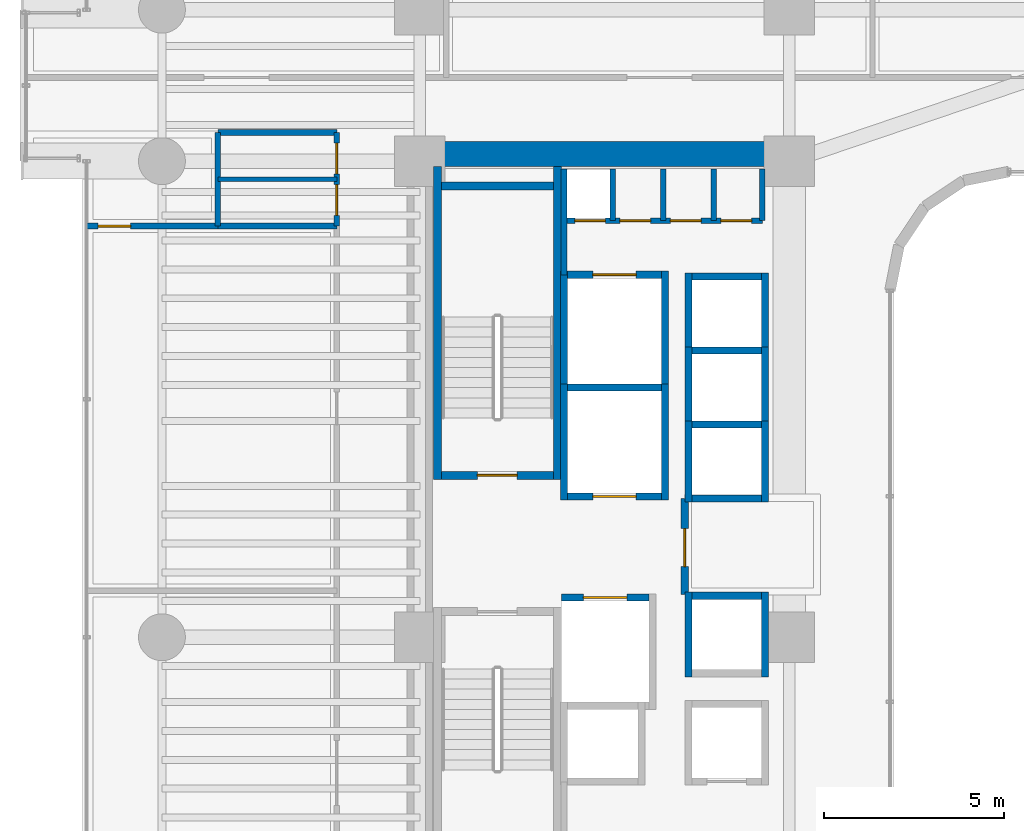
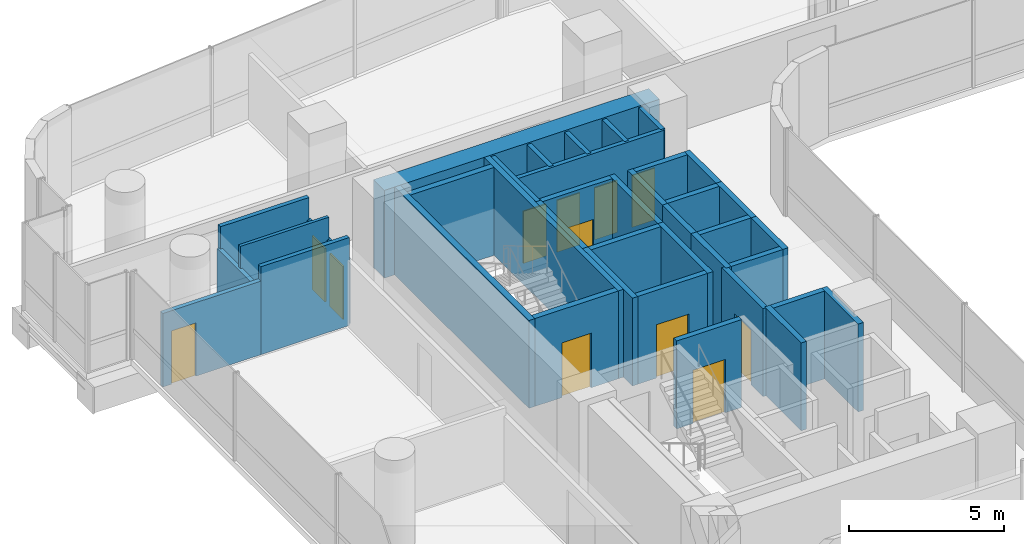
# One storey, part 32 of 40: 39 walls, 12 doors, 12 openings.
"""IFC4 building model written with IfcOpenShell, lengths in metres."""

from ifc_helpers import new_model, si_unit, direction, frame, frame_2d, origin, place, context, subcontext, project, spatial, rectangle, extrude, material, layer, layer_set, type_object, element, fill, save


model = new_model("IFC4")

# Units and contexts
model_context = context("Model", 3, precision=1e-05, world=origin(), true_north=direction((0.0, 1.0)))
body_context = subcontext(model_context, "Body", "Model", "MODEL_VIEW")
ifc_project = project(units=[si_unit("LENGTHUNIT", "METRE"), si_unit("AREAUNIT", "SQUARE_METRE"), si_unit("VOLUMEUNIT", "CUBIC_METRE"), si_unit("PLANEANGLEUNIT", "RADIAN"), si_unit("MASSUNIT", "GRAM", prefix="KILO")], contexts=[model_context])

# Site, building, storey
site_placement = place(None, origin())
site = spatial("IfcSite", under=ifc_project, at=site_placement, CompositionType="ELEMENT")
building_placement = place(site_placement, origin())
building = spatial("IfcBuilding", under=site, at=building_placement, Name="Valdorenza Pilgrim Sanctuary Tower", CompositionType="ELEMENT")
storey_placement = place(building_placement, frame((0.0, 0.0, 48.199951171875)))
storey = spatial("IfcBuildingStorey", under=building, at=storey_placement, Name="L11", CompositionType="ELEMENT", Elevation=48.199951171875)

# Wall
ifc_material_1 = material(Name="Acoustic twin-stud gypsum partition", Category="gypsum")
ifc_layer_1 = layer(ifc_material_1, 0.159912109375, Name="Acoustic twin-stud gypsum partition")
ifc_layer_set_1 = layer_set([ifc_layer_1], Name="Acoustic twin-stud gypsum partition")
wall_type_1 = type_object("IfcWallType", Name="WAL-COR-160", PredefinedType="PARTITIONING", material=ifc_layer_set_1)
wall_1_placement = place(storey_placement, frame((-18.64990234375, 7.449951171875, 0.0), z_axis=(0.0, 0.0, 1.0), x_axis=(0.0, 1.0, 0.0)))
element("IfcWall", 1, at=wall_1_placement, inside=storey, type_object=wall_type_1, Name="L11 Core A North Service West Wall", PredefinedType="PARTITIONING", context=body_context, shape_type="SweptSolid", body=[
    extrude(rectangle(XDim=2.929931640625, YDim=0.159912109375, at=frame_2d((1.46484375, 0.0))), origin(), (0.0, 0.0, 1.0), 3.4599609375),
])

# Wall, openings, doors
wall_2_placement = place(storey_placement, frame((-18.64990234375, 8.949951171875, 0.0), z_axis=(0.0, 0.0, 1.0), x_axis=(1.0, 0.0, 0.0)))
wall_2 = element("IfcWall", 2, at=wall_2_placement, inside=storey, type_object=wall_type_1, Name="L11 Core A North Service South Wall", PredefinedType="PARTITIONING", context=body_context, shape_type="SweptSolid", body=[
    extrude(rectangle(XDim=5.5, YDim=0.159912109375, at=frame_2d((2.75, 0.0))), origin(), (0.0, 0.0, 1.0), 3.4599609375),
])
opening_1_placement = place(wall_2_placement, frame((0.300048828125, 0.0, 0.0)))
opening_1 = element("IfcOpeningElement", 3, at=opening_1_placement, cuts=wall_2, Name="Opening DR-RS1", PredefinedType="OPENING", context=body_context, shape_type="SweptSolid", body=[
    extrude(rectangle(XDim=0.85009765625, YDim=2.050048828125, at=frame_2d((0.425048828125, 1.02490234375))), frame((0.0, 0.0947265625, 0.0), z_axis=(0.0, -1.0, 0.0), x_axis=(1.0, 0.0, 0.0)), (0.0, 0.0, 1.0), 0.189697265625),
])
opening_2_placement = place(wall_2_placement, frame((1.550048828125, 0.0, 0.0)))
opening_2 = element("IfcOpeningElement", 4, at=opening_2_placement, cuts=wall_2, Name="Opening DR-RS1", PredefinedType="OPENING", context=body_context, shape_type="SweptSolid", body=[
    extrude(rectangle(XDim=0.85009765625, YDim=2.050048828125, at=frame_2d((0.425048828125, 1.02490234375))), frame((0.0, 0.0947265625, 0.0), z_axis=(0.0, -1.0, 0.0), x_axis=(1.0, 0.0, 0.0)), (0.0, 0.0, 1.0), 0.189697265625),
])
opening_3_placement = place(wall_2_placement, frame((2.949951171875, 0.0, 0.0)))
opening_3 = element("IfcOpeningElement", 5, at=opening_3_placement, cuts=wall_2, Name="Opening DR-RS1", PredefinedType="OPENING", context=body_context, shape_type="SweptSolid", body=[
    extrude(rectangle(XDim=0.85009765625, YDim=2.050048828125, at=frame_2d((0.425048828125, 1.02490234375))), frame((0.0, 0.0947265625, 0.0), z_axis=(0.0, -1.0, 0.0), x_axis=(1.0, 0.0, 0.0)), (0.0, 0.0, 1.0), 0.189697265625),
])
opening_4_placement = place(wall_2_placement, frame((4.35009765625, 0.0, 0.0)))
opening_4 = element("IfcOpeningElement", 6, at=opening_4_placement, cuts=wall_2, Name="Opening DR-RS1", PredefinedType="OPENING", context=body_context, shape_type="SweptSolid", body=[
    extrude(rectangle(XDim=0.85009765625, YDim=2.050048828125, at=frame_2d((0.425048828125, 1.02490234375))), frame((0.0, 0.0947265625, 0.0), z_axis=(0.0, -1.0, 0.0), x_axis=(1.0, 0.0, 0.0)), (0.0, 0.0, 1.0), 0.189697265625),
])
ifc_material_2 = material(Name="Painted galvanized steel", Category="steel")
door_type_1 = type_object("IfcDoorType", Name="DR-RSR-850", OperationType="NOTDEFINED", PredefinedType="DOOR", material=ifc_material_2)
door_1_placement = place(opening_1_placement, origin())
door_1 = element("IfcDoor", 7, at=door_1_placement, inside=storey, type_object=door_type_1, Name="L11 Core Electrical and Telecom Riser Door", OperationType="SINGLE_SWING_LEFT", OverallHeight=2.050048828125, OverallWidth=0.85009765625, PredefinedType="DOOR", context=body_context, shape_type="SweptSolid", body=[
    extrude(rectangle(XDim=0.85009765625, YDim=2.050048828125, at=frame_2d((0.425048828125, 1.02490234375))), frame((0.0, 0.02490234375, 0.0), z_axis=(0.0, -1.0, 0.0), x_axis=(1.0, 0.0, 0.0)), (0.0, 0.0, 1.0), 0.050048828125),
])
fill(opening_1, door_1)
door_2_placement = place(opening_2_placement, origin())
door_2 = element("IfcDoor", 8, at=door_2_placement, inside=storey, type_object=door_type_1, Name="L11 Housekeeping and Clean Linen Room Door", OperationType="SINGLE_SWING_RIGHT", OverallHeight=2.050048828125, OverallWidth=0.85009765625, PredefinedType="DOOR", context=body_context, shape_type="SweptSolid", body=[
    extrude(rectangle(XDim=0.85009765625, YDim=2.050048828125, at=frame_2d((0.425048828125, 1.02490234375))), frame((0.0, 0.02490234375, 0.0), z_axis=(0.0, -1.0, 0.0), x_axis=(1.0, 0.0, 0.0)), (0.0, 0.0, 1.0), 0.050048828125),
])
fill(opening_2, door_2)
door_3_placement = place(opening_3_placement, origin())
door_3 = element("IfcDoor", 9, at=door_3_placement, inside=storey, type_object=door_type_1, Name="L11 Core IT Server Closet Door", OperationType="SINGLE_SWING_LEFT", OverallHeight=2.050048828125, OverallWidth=0.85009765625, PredefinedType="DOOR", context=body_context, shape_type="SweptSolid", body=[
    extrude(rectangle(XDim=0.85009765625, YDim=2.050048828125, at=frame_2d((0.425048828125, 1.02490234375))), frame((0.0, 0.02490234375, 0.0), z_axis=(0.0, -1.0, 0.0), x_axis=(1.0, 0.0, 0.0)), (0.0, 0.0, 1.0), 0.050048828125),
])
fill(opening_3, door_3)
door_4_placement = place(opening_4_placement, origin())
door_4 = element("IfcDoor", 10, at=door_4_placement, inside=storey, type_object=door_type_1, Name="L11 Core Staff Washroom Door", OperationType="SINGLE_SWING_RIGHT", OverallHeight=2.050048828125, OverallWidth=0.85009765625, PredefinedType="DOOR", context=body_context, shape_type="SweptSolid", body=[
    extrude(rectangle(XDim=0.85009765625, YDim=2.050048828125, at=frame_2d((0.425048828125, 1.02490234375))), frame((0.0, 0.02490234375, 0.0), z_axis=(0.0, -1.0, 0.0), x_axis=(1.0, 0.0, 0.0)), (0.0, 0.0, 1.0), 0.050048828125),
])
fill(opening_4, door_4)

# Walls
for number, where, z_axis, x_axis, name in (
    (11, (-13.14990234375, 8.949951171875, 0.0), (0.0, 0.0, 1.0), (0.0, 1.0, 0.0), "L11 Core A North Service East Wall"),
    (12, (-17.300048828125, 8.949951171875, 0.0), (0.0, 0.0, 1.0), (0.0, 1.0, 0.0), "L11 Core Electrical Riser Wall"),
    (13, (-15.89990234375, 8.949951171875, 0.0), (0.0, 0.0, 1.0), (0.0, 1.0, 0.0), "L11 Core A Split D1"),
    (14, (-14.5, 8.949951171875, 0.0), (0.0, 0.0, 1.0), (0.0, 1.0, 0.0), "L11 Core A Split D2"),
):
    element("IfcWall", number, at=place(storey_placement, frame(where, z_axis=z_axis, x_axis=x_axis)), inside=storey, type_object=wall_type_1, Name=name, PredefinedType="PARTITIONING", context=body_context, shape_type="SweptSolid", body=[
        extrude(rectangle(XDim=1.429931640625, YDim=0.159912109375, at=frame_2d((0.71484375, 0.0))), origin(), (0.0, 0.0, 1.0), 3.4599609375),
    ])
wall_3_placement = place(storey_placement, frame((-28.25, 8.800048828125, 0.0), z_axis=(0.0, 0.0, 1.0), x_axis=(0.0, 1.0, 0.0)))
element("IfcWall", 15, at=wall_3_placement, inside=storey, type_object=wall_type_1, Name="L11 Washroom West Wall", PredefinedType="PARTITIONING", context=body_context, shape_type="SweptSolid", body=[
    extrude(rectangle(XDim=2.599853515625, YDim=0.159912109375, at=frame_2d((1.2998046875, 0.0))), origin(), (0.0, 0.0, 1.0), 2.5830078125),
])

# Wall, openings, doors
wall_4_placement = place(storey_placement, frame((-24.949951171875, 8.800048828125, 0.0), z_axis=(0.0, 0.0, 1.0), x_axis=(0.0, 1.0, 0.0)))
wall_4 = element("IfcWall", 16, at=wall_4_placement, inside=storey, type_object=wall_type_1, Name="L11 Washroom East Wall", PredefinedType="PARTITIONING", context=body_context, shape_type="SweptSolid", body=[
    extrude(rectangle(XDim=2.599853515625, YDim=0.159912109375, at=frame_2d((1.2998046875, 0.0))), origin(), (0.0, 0.0, 1.0), 2.5830078125),
])
opening_5_placement = place(wall_4_placement, frame((0.300048828125, 0.0, 0.0)))
opening_5 = element("IfcOpeningElement", 17, at=opening_5_placement, cuts=wall_4, Name="Opening DR-WC1", PredefinedType="OPENING", context=body_context, shape_type="SweptSolid", body=[
    extrude(rectangle(XDim=0.85009765625, YDim=2.10009765625, at=frame_2d((0.425048828125, 1.050048828125))), frame((0.0, 0.0947265625, 0.0), z_axis=(0.0, -1.0, 0.0), x_axis=(1.0, 0.0, 0.0)), (0.0, 0.0, 1.0), 0.189697265625),
])
opening_6_placement = place(wall_4_placement, frame((1.449951171875, 0.0, 0.0)))
opening_6 = element("IfcOpeningElement", 18, at=opening_6_placement, cuts=wall_4, Name="Opening DR-WC1", PredefinedType="OPENING", context=body_context, shape_type="SweptSolid", body=[
    extrude(rectangle(XDim=0.85009765625, YDim=2.10009765625, at=frame_2d((0.425048828125, 1.050048828125))), frame((0.0, 0.0947265625, 0.0), z_axis=(0.0, -1.0, 0.0), x_axis=(1.0, 0.0, 0.0)), (0.0, 0.0, 1.0), 0.189697265625),
])
ifc_material_3 = material(Name="Moisture-resistant lacquered timber", Category="wood")
door_type_2 = type_object("IfcDoorType", Name="DR-BATH-850", OperationType="NOTDEFINED", PredefinedType="DOOR", material=ifc_material_3)
door_5_placement = place(opening_5_placement, origin())
door_5 = element("IfcDoor", 19, at=door_5_placement, inside=storey, type_object=door_type_2, Name="L11 Accessible Washroom Door", OperationType="SINGLE_SWING_LEFT", OverallHeight=2.10009765625, OverallWidth=0.85009765625, PredefinedType="DOOR", context=body_context, shape_type="SweptSolid", body=[
    extrude(rectangle(XDim=0.85009765625, YDim=2.10009765625, at=frame_2d((0.425048828125, 1.050048828125))), frame((0.0, 0.02490234375, 0.0), z_axis=(0.0, -1.0, 0.0), x_axis=(1.0, 0.0, 0.0)), (0.0, 0.0, 1.0), 0.050048828125),
])
fill(opening_5, door_5)
door_6_placement = place(opening_6_placement, origin())
door_6 = element("IfcDoor", 20, at=door_6_placement, inside=storey, type_object=door_type_2, Name="L11 Public Washroom Door", OperationType="SINGLE_SWING_RIGHT", OverallHeight=2.10009765625, OverallWidth=0.85009765625, PredefinedType="DOOR", context=body_context, shape_type="SweptSolid", body=[
    extrude(rectangle(XDim=0.85009765625, YDim=2.10009765625, at=frame_2d((0.425048828125, 1.050048828125))), frame((0.0, 0.02490234375, 0.0), z_axis=(0.0, -1.0, 0.0), x_axis=(1.0, 0.0, 0.0)), (0.0, 0.0, 1.0), 0.050048828125),
])
fill(opening_6, door_6)

# Walls
for number, where, z_axis, x_axis, name in (
    (21, (-28.25, 8.800048828125, 0.0), (0.0, 0.0, 1.0), (1.0, 0.0, 0.0), "L11 Washroom South Wall"),
    (22, (-28.25, 11.39990234375, 0.0), (0.0, 0.0, 1.0), (1.0, 0.0, 0.0), "L11 Washroom North Wall"),
):
    element("IfcWall", number, at=place(storey_placement, frame(where, z_axis=z_axis, x_axis=x_axis)), inside=storey, type_object=wall_type_1, Name=name, PredefinedType="PARTITIONING", context=body_context, shape_type="SweptSolid", body=[
        extrude(rectangle(XDim=3.300048828125, YDim=0.159912109375, at=frame_2d((1.64990234375, 0.0))), origin(), (0.0, 0.0, 1.0), 3.4599609375),
    ])

# Wall, opening, door
wall_5_placement = place(storey_placement, frame((-31.889892578125, 8.800048828125, 0.0), z_axis=(0.0, 0.0, 1.0), x_axis=(1.0, 0.0, 0.0)))
wall_5 = element("IfcWall", 23, at=wall_5_placement, inside=storey, type_object=wall_type_1, Name="L11 West North Alcove Wall", PredefinedType="PARTITIONING", context=body_context, shape_type="SweptSolid", body=[
    extrude(rectangle(XDim=3.639892578125, YDim=0.159912109375, at=frame_2d((1.81982421875, 0.0))), origin(), (0.0, 0.0, 1.0), 2.89599609375),
])
opening_7_placement = place(wall_5_placement, frame((0.320068359375, 0.0, 0.0)))
opening_7 = element("IfcOpeningElement", 24, at=opening_7_placement, cuts=wall_5, Name="Opening DR-RM1", PredefinedType="OPENING", context=body_context, shape_type="SweptSolid", body=[
    extrude(rectangle(XDim=0.89990234375, YDim=2.10009765625, at=frame_2d((0.449951171875, 1.050048828125))), frame((0.0, 0.0947265625, 0.0), z_axis=(0.0, -1.0, 0.0), x_axis=(1.0, 0.0, 0.0)), (0.0, 0.0, 1.0), 0.189697265625),
])
ifc_material_4 = material(Name="Solid-core European oak timber", Category="wood")
door_type_3 = type_object("IfcDoorType", Name="DR-ROOM-900", OperationType="NOTDEFINED", PredefinedType="DOOR", material=ifc_material_4)
door_7_placement = place(opening_7_placement, frame((0.89990234375, 0.0, 0.0), z_axis=(0.0, 0.0, 1.0), x_axis=(-1.0, 0.0, 0.0)))
door_7 = element("IfcDoor", 25, at=door_7_placement, inside=storey, type_object=door_type_3, Name="L11 Pilgrim Scholar Office L11-WN Door", OperationType="SINGLE_SWING_LEFT", OverallHeight=2.10009765625, OverallWidth=0.89990234375, PredefinedType="DOOR", context=body_context, shape_type="SweptSolid", body=[
    extrude(rectangle(XDim=0.89990234375, YDim=2.10009765625, at=frame_2d((0.449951171875, 1.050048828125))), frame((0.0, 0.02490234375, 0.0), z_axis=(0.0, -1.0, 0.0), x_axis=(1.0, 0.0, 0.0)), (0.0, 0.0, 1.0), 0.050048828125),
])
fill(opening_7, door_7)

# Wall
ifc_material_5 = material(Name="Concrete C60/75", Category="concrete")
ifc_layer_2 = layer(ifc_material_5, 0.699951171875, Name="Concrete C60/75")
ifc_layer_set_2 = layer_set([ifc_layer_2], Name="Concrete C60/75")
wall_type_2 = type_object("IfcWallType", Name="WAL-COR-700", PredefinedType="SHEAR", material=ifc_layer_set_2)
wall_6_placement = place(storey_placement, frame((-22.64990234375, 10.800048828125, 0.0), z_axis=(0.0, 0.0, 1.0), x_axis=(1.0, 0.0, 0.0)))
element("IfcWall", 26, at=wall_6_placement, inside=storey, type_object=wall_type_2, Name="L11 Split Core A Shear Wall N", PredefinedType="SHEAR", context=body_context, shape_type="SweptSolid", body=[
    extrude(rectangle(XDim=10.25, YDim=0.699951171875, at=frame_2d((5.125, 0.0))), origin(), (0.0, 0.0, 1.0), 3.4599609375),
])

# Wall, opening, door
ifc_material_6 = material(Name="Gypsum shaftwall partition", Category="gypsum")
ifc_layer_3 = layer(ifc_material_6, 0.199951171875, Name="Gypsum shaftwall partition")
ifc_layer_set_3 = layer_set([ifc_layer_3], Name="Gypsum shaftwall partition")
wall_type_3 = type_object("IfcWallType", Name="WAL-FFL-200", PredefinedType="PARTITIONING", material=ifc_layer_set_3)
wall_7_placement = place(storey_placement, frame((-15.300048828125, -1.419921875, 0.0), z_axis=(0.0, 0.0, 1.0), x_axis=(0.0, 1.0, 0.0)))
wall_7 = element("IfcWall", 27, at=wall_7_placement, inside=storey, type_object=wall_type_3, Name="L11 Core A Firefighting Lobby East Wall", PredefinedType="PARTITIONING", context=body_context, shape_type="SweptSolid", body=[
    extrude(rectangle(XDim=2.669921875, YDim=0.199951171875, at=frame_2d((1.3349609375, 0.0))), origin(), (0.0, 0.0, 1.0), 3.4599609375),
])
opening_8_placement = place(wall_7_placement, frame((0.780029296875, 0.0, 0.0)))
opening_8 = element("IfcOpeningElement", 28, at=opening_8_placement, cuts=wall_7, Name="Opening DR-FL1", PredefinedType="OPENING", context=body_context, shape_type="SweptSolid", body=[
    extrude(rectangle(XDim=1.050048828125, YDim=2.14990234375, at=frame_2d((0.52490234375, 1.074951171875))), frame((0.0, 0.11474609375, 0.0), z_axis=(0.0, -1.0, 0.0), x_axis=(1.0, 0.0, 0.0)), (0.0, 0.0, 1.0), 0.229736328125),
])
door_type_4 = type_object("IfcDoorType", Name="DR-FFL-1050", OperationType="NOTDEFINED", PredefinedType="DOOR", material=ifc_material_2)
door_8_placement = place(opening_8_placement, origin())
door_8 = element("IfcDoor", 29, at=door_8_placement, inside=storey, type_object=door_type_4, Name="L11 Core A Firefighting Lobby Door", OperationType="SINGLE_SWING_RIGHT", OverallHeight=2.14990234375, OverallWidth=1.050048828125, PredefinedType="DOOR", context=body_context, shape_type="SweptSolid", body=[
    extrude(rectangle(XDim=1.050048828125, YDim=2.14990234375, at=frame_2d((0.52490234375, 1.074951171875))), frame((0.0, 0.02490234375, 0.0), z_axis=(0.0, -1.0, 0.0), x_axis=(1.0, 0.0, 0.0)), (0.0, 0.0, 1.0), 0.050048828125),
])
fill(opening_8, door_8)

# Walls
ifc_material_7 = material(Name="Moisture-resistant gypsum partition", Category="gypsum")
ifc_layer_4 = layer(ifc_material_7, 0.1201171875, Name="Moisture-resistant gypsum partition")
ifc_layer_set_4 = layer_set([ifc_layer_4], Name="Moisture-resistant gypsum partition")
wall_type_4 = type_object("IfcWallType", Name="WAL-INT-120", PredefinedType="PARTITIONING", material=ifc_layer_set_4)
wall_8_placement = place(storey_placement, frame((-28.25, 10.10009765625, 0.0), z_axis=(0.0, 0.0, 1.0), x_axis=(1.0, 0.0, 0.0)))
element("IfcWall", 30, at=wall_8_placement, inside=storey, type_object=wall_type_4, Name="L11 Washroom Divider Wall", PredefinedType="PARTITIONING", context=body_context, shape_type="SweptSolid", body=[
    extrude(rectangle(XDim=3.300048828125, YDim=0.1201171875, at=frame_2d((1.64990234375, 0.0))), origin(), (0.0, 0.0, 1.0), 3.4599609375),
])
ifc_material_8 = material(Name="Autoclaved aerated concrete blockwork", Category="masonry")
ifc_layer_5 = layer(ifc_material_8, 0.199951171875, Name="Autoclaved aerated concrete blockwork")
ifc_layer_set_5 = layer_set([ifc_layer_5], Name="Autoclaved aerated concrete blockwork")
wall_type_5 = type_object("IfcWallType", Name="WAL-SHF-200", PredefinedType="MOVABLE", material=ifc_layer_set_5)
for number, where, z_axis, x_axis, name in (
    (31, (-18.64990234375, 1.199951171875, 0.0), (0.0, 0.0, 1.0), (0.0, 1.0, 0.0), "L11 Lift FFL-01 Hoistway Wall West"),
    (32, (-15.85009765625, 1.199951171875, 0.0), (0.0, 0.0, 1.0), (0.0, 1.0, 0.0), "L11 Lift FFL-01 Hoistway Wall East"),
):
    element("IfcWall", number, at=place(storey_placement, frame(where, z_axis=z_axis, x_axis=x_axis)), inside=storey, type_object=wall_type_5, Name=name, PredefinedType="MOVABLE", context=body_context, shape_type="SweptSolid", body=[
        extrude(rectangle(XDim=3.22509765625, YDim=0.199951171875, at=frame_2d((1.612548828125, 0.0))), origin(), (0.0, 0.0, 1.0), 3.4599609375),
    ])

# Wall, opening, door
wall_9_placement = place(storey_placement, frame((-18.550048828125, 1.300048828125, 0.0), z_axis=(0.0, 0.0, 1.0), x_axis=(1.0, 0.0, 0.0)))
wall_9 = element("IfcWall", 33, at=wall_9_placement, inside=storey, type_object=wall_type_5, Name="L11 Lift FFL-01 Hoistway Wall South", PredefinedType="MOVABLE", context=body_context, shape_type="SweptSolid", body=[
    extrude(rectangle(XDim=2.60009765625, YDim=0.199951171875, at=frame_2d((1.300048828125, 0.0))), origin(), (0.0, 0.0, 1.0), 3.4599609375),
])
opening_9_placement = place(wall_9_placement, frame((0.699951171875, 0.0, 0.0)))
opening_9 = element("IfcOpeningElement", 34, at=opening_9_placement, cuts=wall_9, Name="Opening LD-02", PredefinedType="OPENING", context=body_context, shape_type="SweptSolid", body=[
    extrude(rectangle(XDim=1.199951171875, YDim=2.10009765625, at=frame_2d((0.60009765625, 1.050048828125))), frame((0.0, 0.11474609375, 0.0), z_axis=(0.0, -1.0, 0.0), x_axis=(1.0, 0.0, 0.0)), (0.0, 0.0, 1.0), 0.229736328125),
])
ifc_material_9 = material(Name="Brushed stainless steel Grade 316", Category="steel")
door_type_5 = type_object("IfcDoorType", Name="DR-LFT-1200", OperationType="DOUBLE_DOOR_SLIDING", PredefinedType="DOOR", material=ifc_material_9)
door_9_placement = place(opening_9_placement, origin())
door_9 = element("IfcDoor", 35, at=door_9_placement, inside=storey, type_object=door_type_5, Name="L11 Lift FFL-01 Sliding Landing Door", OperationType="DOUBLE_DOOR_SLIDING", OverallHeight=2.10009765625, OverallWidth=1.199951171875, PredefinedType="DOOR", context=body_context, shape_type="SweptSolid", body=[
    extrude(rectangle(XDim=1.199951171875, YDim=2.10009765625, at=frame_2d((0.60009765625, 1.050048828125))), frame((0.0, 0.02490234375, 0.0), z_axis=(0.0, -1.0, 0.0), x_axis=(1.0, 0.0, 0.0)), (0.0, 0.0, 1.0), 0.050048828125),
])
fill(opening_9, door_9)

# Wall
wall_10_placement = place(storey_placement, frame((-18.550048828125, 4.324951171875, 0.0), z_axis=(0.0, 0.0, 1.0), x_axis=(1.0, 0.0, 0.0)))
element("IfcWall", 36, at=wall_10_placement, inside=storey, type_object=wall_type_5, Name="L11 Lift FFL-01 Hoistway Wall North", PredefinedType="MOVABLE", context=body_context, shape_type="SweptSolid", body=[
    extrude(rectangle(XDim=2.60009765625, YDim=0.199951171875, at=frame_2d((1.300048828125, 0.0))), origin(), (0.0, 0.0, 1.0), 3.4599609375),
])

# Wall, opening, door
wall_11_placement = place(storey_placement, frame((-18.719970703125, -1.5, 0.0), z_axis=(0.0, 0.0, 1.0), x_axis=(1.0, 0.0, 0.0)))
wall_11 = element("IfcWall", 37, at=wall_11_placement, inside=storey, type_object=wall_type_5, Name="L11 Lift FFL-02 Hoistway Wall North", PredefinedType="MOVABLE", context=body_context, shape_type="SweptSolid", body=[
    extrude(rectangle(XDim=2.419921875, YDim=0.199951171875, at=frame_2d((1.2099609375, 0.0))), origin(), (0.0, 0.0, 1.0), 3.4599609375),
])
opening_10_placement = place(wall_11_placement, frame((0.610107421875, 0.0, 0.0)))
opening_10 = element("IfcOpeningElement", 38, at=opening_10_placement, cuts=wall_11, Name="Opening LD-02", PredefinedType="OPENING", context=body_context, shape_type="SweptSolid", body=[
    extrude(rectangle(XDim=1.199951171875, YDim=2.10009765625, at=frame_2d((0.60009765625, 1.050048828125))), frame((0.0, 0.11474609375, 0.0), z_axis=(0.0, -1.0, 0.0), x_axis=(1.0, 0.0, 0.0)), (0.0, 0.0, 1.0), 0.229736328125),
])
door_10_placement = place(opening_10_placement, origin())
door_10 = element("IfcDoor", 39, at=door_10_placement, inside=storey, type_object=door_type_5, Name="L11 Lift FFL-02 Sliding Landing Door", OperationType="DOUBLE_DOOR_SLIDING", OverallHeight=2.10009765625, OverallWidth=1.199951171875, PredefinedType="DOOR", context=body_context, shape_type="SweptSolid", body=[
    extrude(rectangle(XDim=1.199951171875, YDim=2.10009765625, at=frame_2d((0.60009765625, 1.050048828125))), frame((0.0, 0.02490234375, 0.0), z_axis=(0.0, -1.0, 0.0), x_axis=(1.0, 0.0, 0.0)), (0.0, 0.0, 1.0), 0.050048828125),
])
fill(opening_10, door_10)

# Walls
for number, where, z_axis, x_axis, name in (
    (40, (-18.64990234375, 4.22509765625, 0.0), (0.0, 0.0, 1.0), (0.0, 1.0, 0.0), "L11 Lift SVL-01 Hoistway Wall West"),
    (41, (-15.85009765625, 4.22509765625, 0.0), (0.0, 0.0, 1.0), (0.0, 1.0, 0.0), "L11 Lift SVL-01 Hoistway Wall East"),
):
    element("IfcWall", number, at=place(storey_placement, frame(where, z_axis=z_axis, x_axis=x_axis)), inside=storey, type_object=wall_type_5, Name=name, PredefinedType="MOVABLE", context=body_context, shape_type="SweptSolid", body=[
        extrude(rectangle(XDim=3.324951171875, YDim=0.199951171875, at=frame_2d((1.66259765625, 0.0))), origin(), (0.0, 0.0, 1.0), 3.4599609375),
    ])

# Wall, opening, door
wall_12_placement = place(storey_placement, frame((-18.550048828125, 7.449951171875, 0.0), z_axis=(0.0, 0.0, 1.0), x_axis=(1.0, 0.0, 0.0)))
wall_12 = element("IfcWall", 42, at=wall_12_placement, inside=storey, type_object=wall_type_5, Name="L11 Lift SVL-01 Hoistway Wall North", PredefinedType="MOVABLE", context=body_context, shape_type="SweptSolid", body=[
    extrude(rectangle(XDim=2.60009765625, YDim=0.199951171875, at=frame_2d((1.300048828125, 0.0))), origin(), (0.0, 0.0, 1.0), 3.4599609375),
])
opening_11_placement = place(wall_12_placement, frame((0.699951171875, 0.0, 0.0)))
opening_11 = element("IfcOpeningElement", 43, at=opening_11_placement, cuts=wall_12, Name="Opening LD-02", PredefinedType="OPENING", context=body_context, shape_type="SweptSolid", body=[
    extrude(rectangle(XDim=1.199951171875, YDim=2.10009765625, at=frame_2d((0.60009765625, 1.050048828125))), frame((0.0, 0.11474609375, 0.0), z_axis=(0.0, -1.0, 0.0), x_axis=(1.0, 0.0, 0.0)), (0.0, 0.0, 1.0), 0.229736328125),
])
door_11_placement = place(opening_11_placement, origin())
door_11 = element("IfcDoor", 44, at=door_11_placement, inside=storey, type_object=door_type_5, Name="L11 Lift SVL-01 Sliding Landing Door", OperationType="DOUBLE_DOOR_SLIDING", OverallHeight=2.10009765625, OverallWidth=1.199951171875, PredefinedType="DOOR", context=body_context, shape_type="SweptSolid", body=[
    extrude(rectangle(XDim=1.199951171875, YDim=2.10009765625, at=frame_2d((0.60009765625, 1.050048828125))), frame((0.0, 0.02490234375, 0.0), z_axis=(0.0, -1.0, 0.0), x_axis=(1.0, 0.0, 0.0)), (0.0, 0.0, 1.0), 0.050048828125),
])
fill(opening_11, door_11)

# Walls
for number, where, z_axis, x_axis, name in (
    (45, (-15.199951171875, 1.14990234375, 0.0), (0.0, 0.0, 1.0), (0.0, 1.0, 0.0), "L11 Lift PL-06 Hoistway Wall West"),
    (46, (-13.080078125, 1.14990234375, 0.0), (0.0, 0.0, 1.0), (0.0, 1.0, 0.0), "L11 Lift PL-06 Hoistway Wall East"),
):
    element("IfcWall", number, at=place(storey_placement, frame(where, z_axis=z_axis, x_axis=x_axis)), inside=storey, type_object=wall_type_5, Name=name, PredefinedType="MOVABLE", context=body_context, shape_type="SweptSolid", body=[
        extrude(rectangle(XDim=2.25, YDim=0.199951171875, at=frame_2d((1.125, 0.0))), origin(), (0.0, 0.0, 1.0), 3.4599609375),
    ])
wall_13_placement = place(storey_placement, frame((-15.10009765625, 1.25, 0.0), z_axis=(0.0, 0.0, 1.0), x_axis=(1.0, 0.0, 0.0)))
element("IfcWall", 47, at=wall_13_placement, inside=storey, type_object=wall_type_5, Name="L11 Lift PL-06 Hoistway Wall South", PredefinedType="MOVABLE", context=body_context, shape_type="SweptSolid", body=[
    extrude(rectangle(XDim=1.920166015625, YDim=0.199951171875, at=frame_2d((0.9599609375, 0.0))), origin(), (0.0, 0.0, 1.0), 3.4599609375),
])
for number, where, z_axis, x_axis, name in (
    (48, (-15.199951171875, 3.199951171875, 0.0), (0.0, 0.0, 1.0), (0.0, 1.0, 0.0), "L11 Lift PL-09 Hoistway Wall West"),
    (49, (-13.080078125, 3.199951171875, 0.0), (0.0, 0.0, 1.0), (0.0, 1.0, 0.0), "L11 Lift PL-09 Hoistway Wall East"),
):
    element("IfcWall", number, at=place(storey_placement, frame(where, z_axis=z_axis, x_axis=x_axis)), inside=storey, type_object=wall_type_5, Name=name, PredefinedType="MOVABLE", context=body_context, shape_type="SweptSolid", body=[
        extrude(rectangle(XDim=2.25, YDim=0.199951171875, at=frame_2d((1.125, 0.0))), origin(), (0.0, 0.0, 1.0), 3.4599609375),
    ])
for number, where, z_axis, x_axis, name in (
    (50, (-15.10009765625, 3.300048828125, 0.0), (0.0, 0.0, 1.0), (1.0, 0.0, 0.0), "L11 Lift PL-09 Hoistway Wall South"),
    (51, (-15.10009765625, 5.35009765625, 0.0), (0.0, 0.0, 1.0), (1.0, 0.0, 0.0), "L11 Lift PL-09 Hoistway Wall North"),
):
    element("IfcWall", number, at=place(storey_placement, frame(where, z_axis=z_axis, x_axis=x_axis)), inside=storey, type_object=wall_type_5, Name=name, PredefinedType="MOVABLE", context=body_context, shape_type="SweptSolid", body=[
        extrude(rectangle(XDim=1.920166015625, YDim=0.199951171875, at=frame_2d((0.9599609375, 0.0))), origin(), (0.0, 0.0, 1.0), 3.4599609375),
    ])
for number, where, z_axis, x_axis, name in (
    (52, (-15.199951171875, 5.25, 0.0), (0.0, 0.0, 1.0), (0.0, 1.0, 0.0), "L11 Lift PL-10 Hoistway Wall West"),
    (53, (-13.080078125, 5.25, 0.0), (0.0, 0.0, 1.0), (0.0, 1.0, 0.0), "L11 Lift PL-10 Hoistway Wall East"),
):
    element("IfcWall", number, at=place(storey_placement, frame(where, z_axis=z_axis, x_axis=x_axis)), inside=storey, type_object=wall_type_5, Name=name, PredefinedType="MOVABLE", context=body_context, shape_type="SweptSolid", body=[
        extrude(rectangle(XDim=2.25, YDim=0.199951171875, at=frame_2d((1.125, 0.0))), origin(), (0.0, 0.0, 1.0), 3.4599609375),
    ])
wall_14_placement = place(storey_placement, frame((-15.10009765625, 7.39990234375, 0.0), z_axis=(0.0, 0.0, 1.0), x_axis=(1.0, 0.0, 0.0)))
element("IfcWall", 54, at=wall_14_placement, inside=storey, type_object=wall_type_5, Name="L11 Lift PL-10 Hoistway Wall North", PredefinedType="MOVABLE", context=body_context, shape_type="SweptSolid", body=[
    extrude(rectangle(XDim=1.920166015625, YDim=0.199951171875, at=frame_2d((0.9599609375, 0.0))), origin(), (0.0, 0.0, 1.0), 3.4599609375),
])
for number, where, z_axis, x_axis, name in (
    (55, (-15.199951171875, -3.699951171875, 0.0), (0.0, 0.0, 1.0), (0.0, 1.0, 0.0), "L11 Lift PL-12 Hoistway Wall West"),
    (56, (-13.080078125, -3.699951171875, 0.0), (0.0, 0.0, 1.0), (0.0, 1.0, 0.0), "L11 Lift PL-12 Hoistway Wall East"),
):
    element("IfcWall", number, at=place(storey_placement, frame(where, z_axis=z_axis, x_axis=x_axis)), inside=storey, type_object=wall_type_5, Name=name, PredefinedType="MOVABLE", context=body_context, shape_type="SweptSolid", body=[
        extrude(rectangle(XDim=2.349853515625, YDim=0.199951171875, at=frame_2d((1.1748046875, 0.0))), origin(), (0.0, 0.0, 1.0), 3.4599609375),
    ])
wall_15_placement = place(storey_placement, frame((-15.10009765625, -1.449951171875, 0.0), z_axis=(0.0, 0.0, 1.0), x_axis=(1.0, 0.0, 0.0)))
element("IfcWall", 57, at=wall_15_placement, inside=storey, type_object=wall_type_5, Name="L11 Lift PL-12 Hoistway Wall North", PredefinedType="MOVABLE", context=body_context, shape_type="SweptSolid", body=[
    extrude(rectangle(XDim=1.920166015625, YDim=0.199951171875, at=frame_2d((0.9599609375, 0.0))), origin(), (0.0, 0.0, 1.0), 3.4599609375),
])
ifc_material_10 = material(Name="Concrete C40/50", Category="concrete")
ifc_layer_6 = layer(ifc_material_10, 0.219970703125, Name="Concrete C40/50")
ifc_layer_set_6 = layer_set([ifc_layer_6], Name="Concrete C40/50")
wall_type_6 = type_object("IfcWallType", Name="WAL-STR-SHF-220", PredefinedType="SHEAR", material=ifc_layer_set_6)
for number, where, z_axis, x_axis, name in (
    (58, (-22.159912109375, 1.780029296875, 0.0), (0.0, 0.0, 1.0), (0.0, 1.0, 0.0), "L11 ST-A1 Structural Stairwell Wall W"),
    (59, (-18.830078125, 1.780029296875, 0.0), (0.0, 0.0, 1.0), (0.0, 1.0, 0.0), "L11 ST-A1 Structural Stairwell Wall E"),
):
    element("IfcWall", number, at=place(storey_placement, frame(where, z_axis=z_axis, x_axis=x_axis)), inside=storey, type_object=wall_type_6, Name=name, PredefinedType="SHEAR", context=body_context, shape_type="SweptSolid", body=[
        extrude(rectangle(XDim=8.669921875, YDim=0.219970703125, at=frame_2d((4.3349609375, 0.0))), origin(), (0.0, 0.0, 1.0), 3.4599609375),
    ])

# Wall, opening, door
wall_16_placement = place(storey_placement, frame((-22.050048828125, 1.889892578125, 0.0), z_axis=(0.0, 0.0, 1.0), x_axis=(1.0, 0.0, 0.0)))
wall_16 = element("IfcWall", 60, at=wall_16_placement, inside=storey, type_object=wall_type_6, Name="L11 ST-A1 Structural Stairwell Wall S", PredefinedType="SHEAR", context=body_context, shape_type="SweptSolid", body=[
    extrude(rectangle(XDim=3.110107421875, YDim=0.219970703125, at=frame_2d((1.55517578125, 0.0))), origin(), (0.0, 0.0, 1.0), 3.4599609375),
])
opening_12_placement = place(wall_16_placement, frame((1.0, 0.0, 0.0)))
opening_12 = element("IfcOpeningElement", 61, at=opening_12_placement, cuts=wall_16, Name="Opening DR-ST1", PredefinedType="OPENING", context=body_context, shape_type="SweptSolid", body=[
    extrude(rectangle(XDim=1.10009765625, YDim=2.14990234375, at=frame_2d((0.550048828125, 1.074951171875))), frame((0.0, 0.125, 0.0), z_axis=(0.0, -1.0, 0.0), x_axis=(1.0, 0.0, 0.0)), (0.0, 0.0, 1.0), 0.249755859375),
])
door_type_6 = type_object("IfcDoorType", Name="DR-STAIR-1100", OperationType="NOTDEFINED", PredefinedType="DOOR", material=ifc_material_2)
door_12_placement = place(opening_12_placement, frame((1.10009765625, 0.0, 0.0), z_axis=(0.0, 0.0, 1.0), x_axis=(-1.0, 0.0, 0.0)))
door_12 = element("IfcDoor", 62, at=door_12_placement, inside=storey, type_object=door_type_6, Name="L11 Exit Stair ST-A1 Door", OperationType="SINGLE_SWING_LEFT", OverallHeight=2.14990234375, OverallWidth=1.10009765625, PredefinedType="DOOR", context=body_context, shape_type="SweptSolid", body=[
    extrude(rectangle(XDim=1.10009765625, YDim=2.14990234375, at=frame_2d((0.550048828125, 1.074951171875))), frame((0.0, 0.02490234375, 0.0), z_axis=(0.0, -1.0, 0.0), x_axis=(1.0, 0.0, 0.0)), (0.0, 0.0, 1.0), 0.050048828125),
])
fill(opening_12, door_12)

# Wall
wall_17_placement = place(storey_placement, frame((-22.050048828125, 9.909912109375, 0.0), z_axis=(0.0, 0.0, 1.0), x_axis=(1.0, 0.0, 0.0)))
element("IfcWall", 63, at=wall_17_placement, inside=storey, type_object=wall_type_6, Name="L11 ST-A1 Structural Stairwell Wall N", PredefinedType="SHEAR", context=body_context, shape_type="SweptSolid", body=[
    extrude(rectangle(XDim=3.110107421875, YDim=0.219970703125, at=frame_2d((1.55517578125, 0.0))), origin(), (0.0, 0.0, 1.0), 3.4599609375),
])

save(model, "model.ifc")
